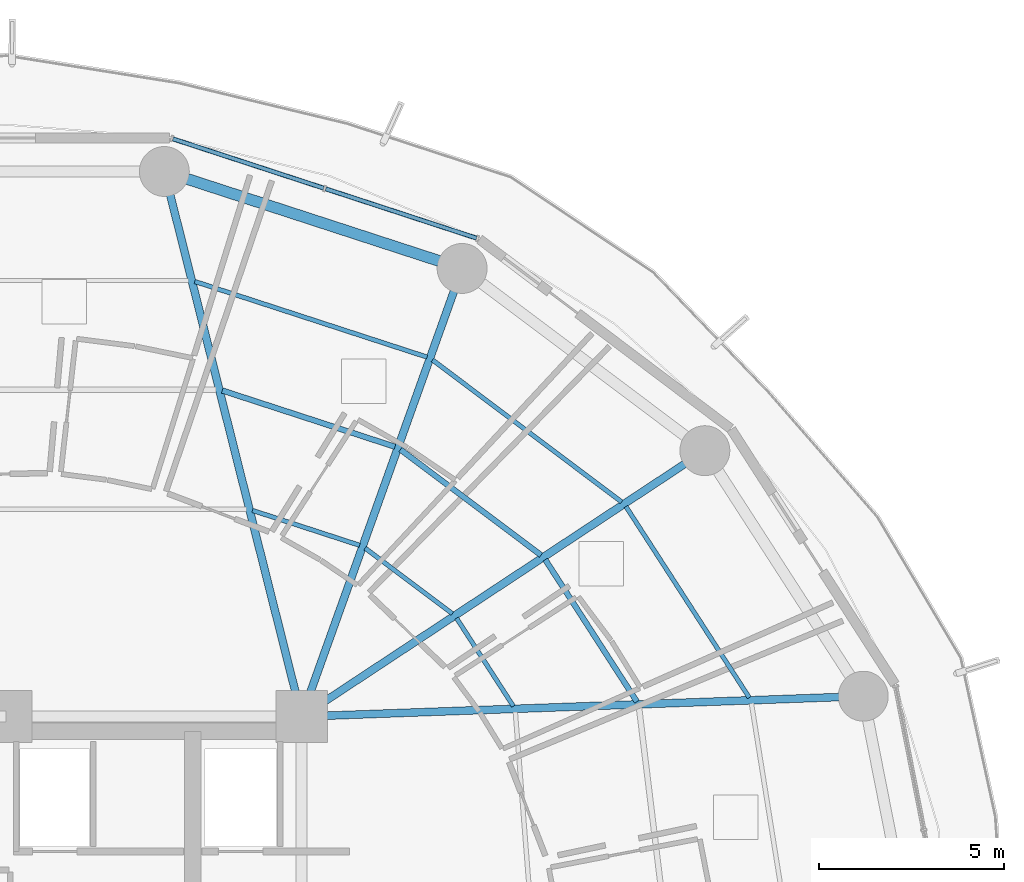
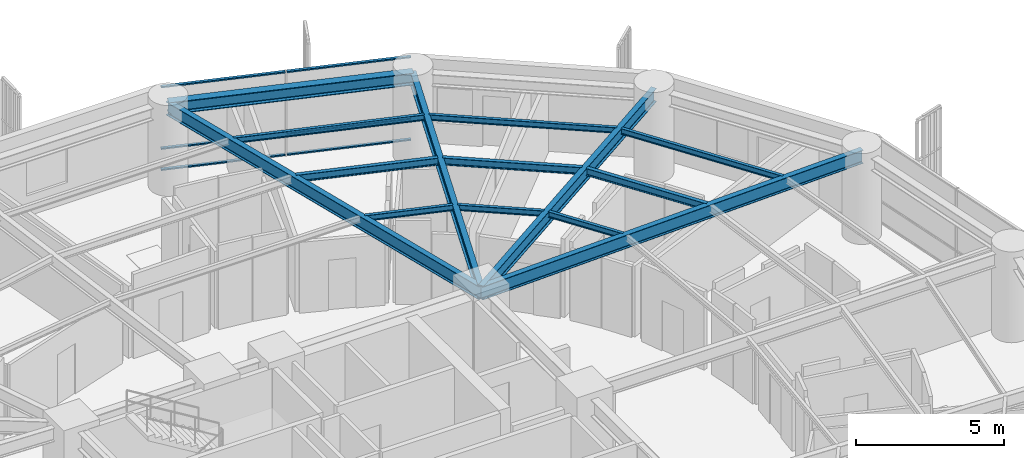
# One storey, part 23 of 35: 14 beams, 6 members, 1 element without a shape of its own.
"""IFC4 building model written with IfcOpenShell, lengths in metres."""

from ifc_helpers import new_model, si_unit, direction, frame, origin, origin_2d, place, context, subcontext, project, spatial, hollow_rectangle, i_section, extrude, material, layer, layer_set, material_profile, profile_set, type_object, element, aggregate, save


model = new_model("IFC4")

# Units and contexts
model_context = context("Model", 3, precision=1e-05, world=origin(), true_north=direction((0.0, 1.0)))
body_context = subcontext(model_context, "Body", "Model", "MODEL_VIEW")
ifc_project = project(units=[si_unit("LENGTHUNIT", "METRE"), si_unit("AREAUNIT", "SQUARE_METRE"), si_unit("VOLUMEUNIT", "CUBIC_METRE"), si_unit("PLANEANGLEUNIT", "RADIAN"), si_unit("MASSUNIT", "GRAM", prefix="KILO")], contexts=[model_context])

# Site, building, storey
site_placement = place(None, origin())
site = spatial("IfcSite", under=ifc_project, at=site_placement, CompositionType="ELEMENT")
building_placement = place(site_placement, origin())
building = spatial("IfcBuilding", under=site, at=building_placement, Name="Kelanora Arch Commons", CompositionType="ELEMENT")
storey_placement = place(building_placement, frame((0.0, 0.0, 95.10009765625)))
storey = spatial("IfcBuildingStorey", under=building, at=storey_placement, Name="L24", CompositionType="ELEMENT", Elevation=95.10009765625)

# Beams
ifc_material_1 = material(Name="Steel S355", Category="steel")
ifc_material_profile_1 = material_profile(ifc_material_1, i_section(OverallWidth=0.14990234375, OverallDepth=0.300048828125, WebThickness=0.007080078125, FlangeThickness=0.0107421875, FilletRadius=0.014892578125, at=origin_2d()), Name="IPE300")
ifc_profile_set_1 = profile_set([ifc_material_profile_1], Name="Steel S355")
beam_type_1 = type_object("IfcBeamType", Name="BM-JST-01", PredefinedType="JOIST", material=ifc_profile_set_1)
beam_1_placement = place(storey_placement, frame((91.06884765625, 65.402587890625, 3.33984375), z_axis=(-0.542230243286, 0.840229946661, 0.0), x_axis=(-0.840229946661, -0.542230243286, 0.0)))
element("IfcBeam", 1, at=beam_1_placement, inside=storey, type_object=beam_type_1, Name="Secondary Chord Joist BJB-02 L24", PredefinedType="JOIST", context=body_context, shape_type="SweptSolid", body=[
    extrude(i_section(OverallWidth=0.14990234375, OverallDepth=0.300048828125, WebThickness=0.007080078125, FlangeThickness=0.0107421875, FilletRadius=0.014892578125, at=origin_2d()), origin(), (0.0, 0.0, 1.0), 4.572265625),
])
beam_2_placement = place(storey_placement, frame((88.4755859375, 69.36669921875, 3.33984375), z_axis=(-0.79971039107, 0.600385951214, 0.0), x_axis=(-0.600385951214, -0.79971039107, 0.0)))
element("IfcBeam", 2, at=beam_2_placement, inside=storey, type_object=beam_type_1, Name="Secondary Chord Joist BJB-04 L24", PredefinedType="JOIST", context=body_context, shape_type="SweptSolid", body=[
    extrude(i_section(OverallWidth=0.14990234375, OverallDepth=0.300048828125, WebThickness=0.007080078125, FlangeThickness=0.0107421875, FilletRadius=0.014892578125, at=origin_2d()), origin(), (0.0, 0.0, 1.0), 4.756103515625),
])
beam_3_placement = place(storey_placement, frame((84.523193359375, 72.29931640625, 3.33984375), z_axis=(-0.950857140254, 0.309629938521, 0.0), x_axis=(-0.309629938521, -0.950857140254, 0.0)))
element("IfcBeam", 3, at=beam_3_placement, inside=storey, type_object=beam_type_1, Name="Secondary Chord Joist BJB-06 L24", PredefinedType="JOIST", context=body_context, shape_type="SweptSolid", body=[
    extrude(i_section(OverallWidth=0.14990234375, OverallDepth=0.300048828125, WebThickness=0.007080078125, FlangeThickness=0.0107421875, FilletRadius=0.014892578125, at=origin_2d()), origin(), (0.0, 0.0, 1.0), 4.912353515625),
])
ifc_material_profile_2 = material_profile(ifc_material_1, i_section(OverallWidth=0.1201171875, OverallDepth=0.239990234375, WebThickness=0.006103515625, FlangeThickness=0.009765625, FilletRadius=0.014892578125, at=origin_2d()), Name="IPE240")
ifc_profile_set_2 = profile_set([ifc_material_profile_2], Name="Steel S355")
beam_type_2 = type_object("IfcBeamType", Name="BM-JST-02", PredefinedType="JOIST", material=ifc_profile_set_2)
beam_4_placement = place(storey_placement, frame((87.726806640625, 65.281005859375, 3.369873046875), z_axis=(-0.542211255502, 0.840242199849, 0.0), x_axis=(-0.840242199849, -0.542211255502, 0.0)))
element("IfcBeam", 4, at=beam_4_placement, inside=storey, type_object=beam_type_2, Name="Secondary Chord Joist BJA-02 L24", PredefinedType="JOIST", context=body_context, shape_type="SweptSolid", body=[
    extrude(i_section(OverallWidth=0.1201171875, OverallDepth=0.239990234375, WebThickness=0.006103515625, FlangeThickness=0.009765625, FilletRadius=0.014892578125, at=origin_2d()), origin(), (0.0, 0.0, 1.0), 2.83349609375),
])
beam_5_placement = place(storey_placement, frame((94.107177734375, 65.512939453125, 3.369873046875), z_axis=(-0.542212726273, 0.840241250754, 0.0), x_axis=(-0.840241250754, -0.542212726273, 0.0)))
element("IfcBeam", 5, at=beam_5_placement, inside=storey, type_object=beam_type_2, Name="Secondary Chord Joist BJC-02 L24", PredefinedType="JOIST", context=body_context, shape_type="SweptSolid", body=[
    extrude(i_section(OverallWidth=0.1201171875, OverallDepth=0.239990234375, WebThickness=0.006103515625, FlangeThickness=0.009765625, FilletRadius=0.014892578125, at=origin_2d()), origin(), (0.0, 0.0, 1.0), 6.15283203125),
])
beam_6_placement = place(storey_placement, frame((86.076416015625, 67.7841796875, 3.369873046875), z_axis=(-0.799692034361, 0.600410401458, 0.0), x_axis=(-0.600410401458, -0.799692034361, 0.0)))
element("IfcBeam", 6, at=beam_6_placement, inside=storey, type_object=beam_type_2, Name="Secondary Chord Joist BJA-04 L24", PredefinedType="JOIST", context=body_context, shape_type="SweptSolid", body=[
    extrude(i_section(OverallWidth=0.1201171875, OverallDepth=0.239990234375, WebThickness=0.006103515625, FlangeThickness=0.009765625, FilletRadius=0.014892578125, at=origin_2d()), origin(), (0.0, 0.0, 1.0), 2.949951171875),
])
beam_7_placement = place(storey_placement, frame((90.65673828125, 70.805419921875, 3.369873046875), z_axis=(-0.799734335646, 0.600354055861, 0.0), x_axis=(-0.600354055861, -0.799734335646, 0.0)))
element("IfcBeam", 7, at=beam_7_placement, inside=storey, type_object=beam_type_2, Name="Secondary Chord Joist BJC-04 L24", PredefinedType="JOIST", context=body_context, shape_type="SweptSolid", body=[
    extrude(i_section(OverallWidth=0.1201171875, OverallDepth=0.239990234375, WebThickness=0.006103515625, FlangeThickness=0.009765625, FilletRadius=0.014892578125, at=origin_2d()), origin(), (0.0, 0.0, 1.0), 6.39794921875),
])
beam_8_placement = place(storey_placement, frame((83.568359375, 69.632568359375, 3.369873046875), z_axis=(-0.950846758946, 0.309661817151, 0.0), x_axis=(-0.309661817151, -0.950846758946, 0.0)))
element("IfcBeam", 8, at=beam_8_placement, inside=storey, type_object=beam_type_2, Name="Secondary Chord Joist BJA-06 L24", PredefinedType="JOIST", context=body_context, shape_type="SweptSolid", body=[
    extrude(i_section(OverallWidth=0.1201171875, OverallDepth=0.239990234375, WebThickness=0.006103515625, FlangeThickness=0.009765625, FilletRadius=0.014892578125, at=origin_2d()), origin(), (0.0, 0.0, 1.0), 3.048828125),
])
beam_9_placement = place(storey_placement, frame((85.39111328125, 74.723876953125, 3.369873046875), z_axis=(-0.950862829272, 0.309612467301, 0.0), x_axis=(-0.309612467301, -0.950862829272, 0.0)))
element("IfcBeam", 9, at=beam_9_placement, inside=storey, type_object=beam_type_2, Name="Secondary Chord Joist BJC-06 L24", PredefinedType="JOIST", context=body_context, shape_type="SweptSolid", body=[
    extrude(i_section(OverallWidth=0.1201171875, OverallDepth=0.239990234375, WebThickness=0.006103515625, FlangeThickness=0.009765625, FilletRadius=0.014892578125, at=origin_2d()), origin(), (0.0, 0.0, 1.0), 6.6064453125),
])
ifc_material_profile_3 = material_profile(ifc_material_1, i_section(OverallWidth=0.2099609375, OverallDepth=0.550048828125, WebThickness=0.010986328125, FlangeThickness=0.01708984375, FilletRadius=0.02392578125, at=origin_2d()), Name="IPE550")
ifc_profile_set_3 = profile_set([ifc_material_profile_3], Name="Steel S355")
beam_type_3 = type_object("IfcBeamType", Name="BM-RAD-Z2", PredefinedType="BEAM", material=ifc_profile_set_3)
beam_10_placement = place(storey_placement, frame((82.0, 65.0, 3.21484375), z_axis=(0.999341087625, 0.036295875581, 0.0), x_axis=(-0.036295875581, 0.999341087625, 0.0)))
element("IfcBeam", 10, at=beam_10_placement, inside=storey, type_object=beam_type_3, Name="Radial Floor Girder BR-02 L24", PredefinedType="BEAM", context=body_context, shape_type="SweptSolid", body=[
    extrude(i_section(OverallWidth=0.2099609375, OverallDepth=0.550048828125, WebThickness=0.010986328125, FlangeThickness=0.01708984375, FilletRadius=0.02392578125, at=origin_2d()), origin(), (0.0, 0.0, 1.0), 15.20166015625),
])
beam_11_placement = place(storey_placement, frame((82.0, 65.0, 3.21484375), z_axis=(0.834788577908, 0.550570640512, 0.0), x_axis=(-0.550570640512, 0.834788577908, 0.0)))
element("IfcBeam", 11, at=beam_11_placement, inside=storey, type_object=beam_type_3, Name="Radial Floor Girder BR-04 L24", PredefinedType="BEAM", context=body_context, shape_type="SweptSolid", body=[
    extrude(i_section(OverallWidth=0.2099609375, OverallDepth=0.550048828125, WebThickness=0.010986328125, FlangeThickness=0.01708984375, FilletRadius=0.02392578125, at=origin_2d()), origin(), (0.0, 0.0, 1.0), 13.064453125),
])
beam_12_placement = place(storey_placement, frame((82.0, 65.0, 3.21484375), z_axis=(0.337084640008, 0.941474346687, 0.0), x_axis=(-0.941474346687, 0.337084640008, 0.0)))
element("IfcBeam", 12, at=beam_12_placement, inside=storey, type_object=beam_type_3, Name="Radial Floor Girder BR-06 L24", PredefinedType="BEAM", context=body_context, shape_type="SweptSolid", body=[
    extrude(i_section(OverallWidth=0.2099609375, OverallDepth=0.550048828125, WebThickness=0.010986328125, FlangeThickness=0.01708984375, FilletRadius=0.02392578125, at=origin_2d()), origin(), (0.0, 0.0, 1.0), 12.875244140625),
])
beam_13_placement = place(storey_placement, frame((82.0, 65.0, 3.21484375), z_axis=(-0.244280647475, 0.969704576286, 0.0), x_axis=(-0.969704576286, -0.244280647475, 0.0)))
element("IfcBeam", 13, at=beam_13_placement, inside=storey, type_object=beam_type_3, Name="Radial Floor Girder BR-08 L24", PredefinedType="BEAM", context=body_context, shape_type="SweptSolid", body=[
    extrude(i_section(OverallWidth=0.2099609375, OverallDepth=0.550048828125, WebThickness=0.010986328125, FlangeThickness=0.01708984375, FilletRadius=0.02392578125, at=origin_2d()), origin(), (0.0, 0.0, 1.0), 15.205322265625),
])
ifc_material_profile_4 = material_profile(ifc_material_1, i_section(OverallWidth=0.300048828125, OverallDepth=0.5, WebThickness=0.014404296875, FlangeThickness=0.028076171875, FilletRadius=0.027099609375, at=origin_2d()), Name="HEB500")
ifc_profile_set_4 = profile_set([ifc_material_profile_4], Name="Steel S355")
beam_type_4 = type_object("IfcBeamType", Name="BM-SPN-Z2", PredefinedType="SPANDREL", material=ifc_profile_set_4)
beam_14_placement = place(storey_placement, frame((86.340087890625, 77.121826171875, 3.239990234375), z_axis=(-0.950856631974, 0.309631499418, 0.0), x_axis=(-0.309631499418, -0.950856631974, 0.0)))
element("IfcBeam", 14, at=beam_14_placement, inside=storey, type_object=beam_type_4, Name="Perimeter Spandrel Beam BS-06 L24", PredefinedType="SPANDREL", context=body_context, shape_type="SweptSolid", body=[
    extrude(i_section(OverallWidth=0.300048828125, OverallDepth=0.5, WebThickness=0.014404296875, FlangeThickness=0.028076171875, FilletRadius=0.027099609375, at=origin_2d()), origin(), (0.0, 0.0, 1.0), 8.470703125),
])

# Curtain wall, members
ifc_material_2 = material(Name="Terracotta ceramic-fritted low-E glass and aluminium", Category="masonry")
ifc_layer = layer(ifc_material_2, 0.159912109375)
ifc_layer_set = layer_set([ifc_layer], Name="Terracotta ceramic-fritted low-E glass and aluminium")
curtain_wall_type = type_object("IfcCurtainWallType", Name="CW-SYS-01", PredefinedType="NOTDEFINED", material=ifc_layer_set)
curtain_wall_placement = place(storey_placement, origin())
curtain_wall = element("IfcCurtainWall", 15, at=curtain_wall_placement, inside=storey, type_object=curtain_wall_type, Name="Unitised Curtain Wall L24-B03", PredefinedType="NOTDEFINED")
ifc_material_3 = material(Name="Powder-coated aluminium terracotta", Category="masonry")
ifc_material_profile_5 = material_profile(ifc_material_3, hollow_rectangle(XDim=0.1201171875, YDim=0.06005859375, WallThickness=0.0048828125, InnerFilletRadius=0.0048828125, OuterFilletRadius=0.010009765625, at=origin_2d()), Name="CWT120x60")
ifc_profile_set_5 = profile_set([ifc_material_profile_5], Name="Powder-coated aluminium terracotta")
member_type = type_object("IfcMemberType", Name="CWT-STD", PredefinedType="USERDEFINED", material=ifc_profile_set_5)
member_1_placement = place(storey_placement, frame((86.728759765625, 77.94189453125, 0.02978515625), z_axis=(-0.950466230394, 0.310827838008, 0.0), x_axis=(-0.310827838008, -0.950466230394, 0.0)))
member_1 = element("IfcMember", 16, at=member_1_placement, type_object=member_type, Name="CW-01 transom 1.1", ObjectType="TRANSOM", PredefinedType="USERDEFINED", context=body_context, shape_type="SweptSolid", body=[
    extrude(hollow_rectangle(XDim=0.1201171875, YDim=0.06005859375, WallThickness=0.0048828125, InnerFilletRadius=0.0048828125, OuterFilletRadius=0.010009765625, at=origin_2d()), origin(), (0.0, 0.0, 1.0), 4.2900390625),
])
member_2_placement = place(storey_placement, frame((86.728759765625, 77.94189453125, 0.89990234375), z_axis=(-0.950466230394, 0.310827838008, 0.0), x_axis=(-0.310827838008, -0.950466230394, 0.0)))
member_2 = element("IfcMember", 17, at=member_2_placement, type_object=member_type, Name="CW-01 transom 1.2", ObjectType="TRANSOM", PredefinedType="USERDEFINED", context=body_context, shape_type="SweptSolid", body=[
    extrude(hollow_rectangle(XDim=0.1201171875, YDim=0.06005859375, WallThickness=0.0048828125, InnerFilletRadius=0.0048828125, OuterFilletRadius=0.010009765625, at=origin_2d()), origin(), (0.0, 0.0, 1.0), 4.2900390625),
])
member_3_placement = place(storey_placement, frame((86.728759765625, 77.94189453125, 3.44482421875), z_axis=(-0.950466230394, 0.310827838008, 0.0), x_axis=(-0.310827838008, -0.950466230394, 0.0)))
member_3 = element("IfcMember", 18, at=member_3_placement, type_object=member_type, Name="CW-01 transom 1.3", ObjectType="TRANSOM", PredefinedType="USERDEFINED", context=body_context, shape_type="SweptSolid", body=[
    extrude(hollow_rectangle(XDim=0.1201171875, YDim=0.06005859375, WallThickness=0.0048828125, InnerFilletRadius=0.0048828125, OuterFilletRadius=0.010009765625, at=origin_2d()), origin(), (0.0, 0.0, 1.0), 4.2900390625),
])
member_4_placement = place(storey_placement, frame((82.59423828125, 79.2939453125, 0.02978515625), z_axis=(-0.950477544745, 0.31079323824, 0.0), x_axis=(-0.31079323824, -0.950477544745, 0.0)))
member_4 = element("IfcMember", 19, at=member_4_placement, type_object=member_type, Name="CW-01 transom 2.1", ObjectType="TRANSOM", PredefinedType="USERDEFINED", context=body_context, shape_type="SweptSolid", body=[
    extrude(hollow_rectangle(XDim=0.1201171875, YDim=0.06005859375, WallThickness=0.0048828125, InnerFilletRadius=0.0048828125, OuterFilletRadius=0.010009765625, at=origin_2d()), origin(), (0.0, 0.0, 1.0), 4.289794921875),
])
member_5_placement = place(storey_placement, frame((82.59423828125, 79.2939453125, 0.89990234375), z_axis=(-0.950477544745, 0.31079323824, 0.0), x_axis=(-0.31079323824, -0.950477544745, 0.0)))
member_5 = element("IfcMember", 20, at=member_5_placement, type_object=member_type, Name="CW-01 transom 2.2", ObjectType="TRANSOM", PredefinedType="USERDEFINED", context=body_context, shape_type="SweptSolid", body=[
    extrude(hollow_rectangle(XDim=0.1201171875, YDim=0.06005859375, WallThickness=0.0048828125, InnerFilletRadius=0.0048828125, OuterFilletRadius=0.010009765625, at=origin_2d()), origin(), (0.0, 0.0, 1.0), 4.289794921875),
])
member_6_placement = place(storey_placement, frame((82.59423828125, 79.2939453125, 3.44482421875), z_axis=(-0.950477544745, 0.31079323824, 0.0), x_axis=(-0.31079323824, -0.950477544745, 0.0)))
member_6 = element("IfcMember", 21, at=member_6_placement, type_object=member_type, Name="CW-01 transom 2.3", ObjectType="TRANSOM", PredefinedType="USERDEFINED", context=body_context, shape_type="SweptSolid", body=[
    extrude(hollow_rectangle(XDim=0.1201171875, YDim=0.06005859375, WallThickness=0.0048828125, InnerFilletRadius=0.0048828125, OuterFilletRadius=0.010009765625, at=origin_2d()), origin(), (0.0, 0.0, 1.0), 4.289794921875),
])
aggregate(curtain_wall, [member_1, member_2, member_3, member_4, member_5, member_6])

save(model, "model.ifc")
